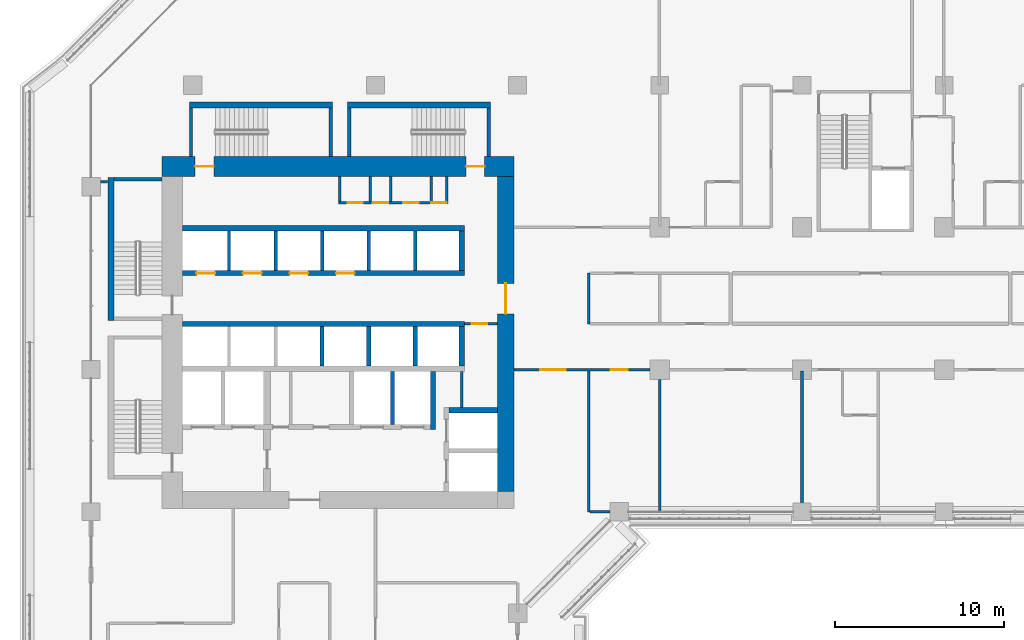
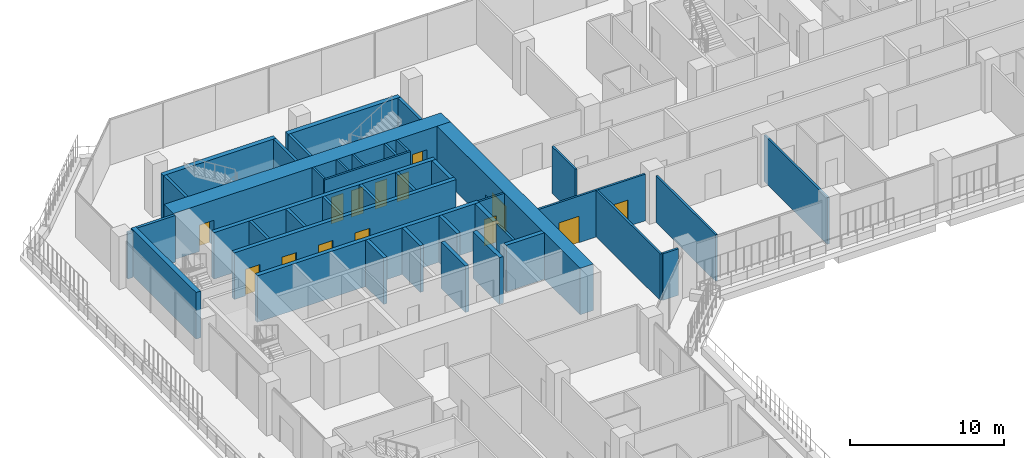
# One storey, part 13 of 23: 41 walls, 14 doors, 14 openings.
"""IFC4 building model written with IfcOpenShell, lengths in metres."""

from ifc_helpers import new_model, si_unit, direction, frame, frame_2d, origin, place, context, subcontext, project, spatial, rectangle, extrude, material, layer, layer_set, type_object, element, fill, save


model = new_model("IFC4")

# Units and contexts
model_context = context("Model", 3, precision=1e-05, world=origin(), true_north=direction((0.0, 1.0)))
body_context = subcontext(model_context, "Body", "Model", "MODEL_VIEW")
ifc_project = project(units=[si_unit("LENGTHUNIT", "METRE"), si_unit("AREAUNIT", "SQUARE_METRE"), si_unit("VOLUMEUNIT", "CUBIC_METRE"), si_unit("PLANEANGLEUNIT", "RADIAN"), si_unit("MASSUNIT", "GRAM", prefix="KILO")], contexts=[model_context])

# Site, building, storey
site_placement = place(None, origin())
site = spatial("IfcSite", under=ifc_project, at=site_placement, CompositionType="ELEMENT")
building_placement = place(site_placement, origin())
building = spatial("IfcBuilding", under=site, at=building_placement, Name="Kawkab Arch Medical Tower", CompositionType="ELEMENT")
storey_placement = place(building_placement, frame((0.0, 0.0, 149.199951171875)))
storey = spatial("IfcBuildingStorey", under=building, at=storey_placement, Name="L34", CompositionType="ELEMENT", Elevation=149.199951171875)

# Wall, opening, door
ifc_material_1 = material(Name="Concrete C60/75", Category="concrete")
ifc_layer_1 = layer(ifc_material_1, 1.0)
ifc_layer_set_1 = layer_set([ifc_layer_1], Name="Concrete C60/75")
wall_type_1 = type_object("IfcWallType", Name="Core ring wall 1000 C60/75", PredefinedType="SHEAR", material=ifc_layer_set_1)
wall_1_placement = place(storey_placement, frame((24.5, -24.0, 0.0), z_axis=(0.0, 0.0, 1.0), x_axis=(0.0, 1.0, 0.0)))
wall_1 = element("IfcWall", 1, at=wall_1_placement, inside=storey, type_object=wall_type_1, Name="L34 core wall", PredefinedType="SHEAR", context=body_context, shape_type="SweptSolid", body=[
    extrude(rectangle(XDim=18.60009765625, YDim=1.0, at=frame_2d((9.300048828125, 0.0))), origin(), (0.0, 0.0, 1.0), 3.699951171875),
])
opening_1_placement = place(wall_1_placement, frame((10.5, 0.0, 0.0)))
opening_1 = element("IfcOpeningElement", 2, at=opening_1_placement, cuts=wall_1, Name="Opening PD", PredefinedType="OPENING", context=body_context, shape_type="SweptSolid", body=[
    extrude(rectangle(XDim=1.800048828125, YDim=2.10009765625, at=frame_2d((0.89990234375, 1.050048828125))), frame((0.0, 0.510009765625, 0.0), z_axis=(0.0, -1.0, 0.0), x_axis=(1.0, 0.0, 0.0)), (0.0, 0.0, 1.0), 1.02001953125),
])
ifc_material_2 = material(Name="Hollow metal fire door leaf")
door_type_1 = type_object("IfcDoorType", Name="Core entrance doors 1800", OperationType="DOUBLE_DOOR_SINGLE_SWING", PredefinedType="DOOR", material=ifc_material_2)
door_1_placement = place(opening_1_placement, origin())
door_1 = element("IfcDoor", 3, at=door_1_placement, inside=storey, type_object=door_type_1, Name="L34 East entrance doors", OperationType="DOUBLE_DOOR_SINGLE_SWING", OverallHeight=2.10009765625, OverallWidth=1.800048828125, PredefinedType="DOOR", context=body_context, shape_type="SweptSolid", body=[
    extrude(rectangle(XDim=1.800048828125, YDim=2.10009765625, at=frame_2d((0.89990234375, 1.050048828125))), frame((0.0, 0.02490234375, 0.0), z_axis=(0.0, -1.0, 0.0), x_axis=(1.0, 0.0, 0.0)), (0.0, 0.0, 1.0), 0.050048828125),
])
fill(opening_1, door_1)

# Wall, openings, doors
ifc_material_3 = material(Name="Concrete C60/75", Category="concrete")
ifc_layer_2 = layer(ifc_material_3, 1.199951171875)
ifc_layer_set_2 = layer_set([ifc_layer_2], Name="Concrete C60/75")
wall_type_2 = type_object("IfcWallType", Name="Core ring wall 1200 C60/75", PredefinedType="SHEAR", material=ifc_layer_set_2)
wall_2_placement = place(storey_placement, frame((4.199951171875, -4.800048828125, 0.0), z_axis=(0.0, 0.0, 1.0), x_axis=(1.0, 0.0, 0.0)))
wall_2 = element("IfcWall", 4, at=wall_2_placement, inside=storey, type_object=wall_type_2, Name="L34 core wall", PredefinedType="SHEAR", context=body_context, shape_type="SweptSolid", body=[
    extrude(rectangle(XDim=20.800048828125, YDim=1.199951171875, at=frame_2d((10.39990234375, 0.0))), origin(), (0.0, 0.0, 1.0), 3.699951171875),
])
opening_2_placement = place(wall_2_placement, frame((1.949951171875, 0.0, 0.0)))
opening_2 = element("IfcOpeningElement", 5, at=opening_2_placement, cuts=wall_2, Name="Opening SD", PredefinedType="OPENING", context=body_context, shape_type="SweptSolid", body=[
    extrude(rectangle(XDim=1.10009765625, YDim=2.10009765625, at=frame_2d((0.550048828125, 1.050048828125))), frame((0.0, 0.60986328125, 0.0), z_axis=(0.0, -1.0, 0.0), x_axis=(1.0, 0.0, 0.0)), (0.0, 0.0, 1.0), 1.219970703125),
])
opening_3_placement = place(wall_2_placement, frame((17.949951171875, 0.0, 0.0)))
opening_3 = element("IfcOpeningElement", 6, at=opening_3_placement, cuts=wall_2, Name="Opening SD", PredefinedType="OPENING", context=body_context, shape_type="SweptSolid", body=[
    extrude(rectangle(XDim=1.10009765625, YDim=2.10009765625, at=frame_2d((0.550048828125, 1.050048828125))), frame((0.0, 0.60986328125, 0.0), z_axis=(0.0, -1.0, 0.0), x_axis=(1.0, 0.0, 0.0)), (0.0, 0.0, 1.0), 1.219970703125),
])
ifc_material_4 = material(Name="Hollow metal fire door leaf")
door_type_2 = type_object("IfcDoorType", Name="Exit stair door 1100", OperationType="SINGLE_SWING_LEFT", PredefinedType="DOOR", material=ifc_material_4)
door_2_placement = place(opening_2_placement, origin())
door_2 = element("IfcDoor", 7, at=door_2_placement, inside=storey, type_object=door_type_2, Name="L34 Exit stair ST3 door", OperationType="SINGLE_SWING_LEFT", OverallHeight=2.10009765625, OverallWidth=1.10009765625, PredefinedType="DOOR", context=body_context, shape_type="SweptSolid", body=[
    extrude(rectangle(XDim=1.10009765625, YDim=2.10009765625, at=frame_2d((0.550048828125, 1.050048828125))), frame((0.0, 0.02490234375, 0.0), z_axis=(0.0, -1.0, 0.0), x_axis=(1.0, 0.0, 0.0)), (0.0, 0.0, 1.0), 0.050048828125),
])
fill(opening_2, door_2)
door_3_placement = place(opening_3_placement, origin())
door_3 = element("IfcDoor", 8, at=door_3_placement, inside=storey, type_object=door_type_2, Name="L34 Exit stair ST4 door", OperationType="SINGLE_SWING_LEFT", OverallHeight=2.10009765625, OverallWidth=1.10009765625, PredefinedType="DOOR", context=body_context, shape_type="SweptSolid", body=[
    extrude(rectangle(XDim=1.10009765625, YDim=2.10009765625, at=frame_2d((0.550048828125, 1.050048828125))), frame((0.0, 0.02490234375, 0.0), z_axis=(0.0, -1.0, 0.0), x_axis=(1.0, 0.0, 0.0)), (0.0, 0.0, 1.0), 0.050048828125),
])
fill(opening_3, door_3)

# Wall
ifc_material_5 = material(Name="Gypsum board on steel studs", Category="steel")
ifc_layer_3 = layer(ifc_material_5, 0.14990234375)
ifc_layer_set_3 = layer_set([ifc_layer_3], Name="Gypsum board on steel studs")
wall_type_3 = type_object("IfcWallType", Name="Core room partition 150", PredefinedType="PARTITIONING", material=ifc_layer_set_3)
wall_3_placement = place(storey_placement, frame((21.89990234375, -19.050048828125, 0.0), z_axis=(0.0, 0.0, 1.0), x_axis=(0.0, 1.0, 0.0)))
element("IfcWall", 9, at=wall_3_placement, inside=storey, type_object=wall_type_3, Name="L34 core room partition", PredefinedType="PARTITIONING", context=body_context, shape_type="SweptSolid", body=[
    extrude(rectangle(XDim=2.150146484375, YDim=0.14990234375, at=frame_2d((1.0751953125, 0.0))), origin(), (0.0, 0.0, 1.0), 3.699951171875),
])

# Wall, opening, door
wall_4_placement = place(storey_placement, frame((22.050048828125, -14.10009765625, 0.0), z_axis=(0.0, 0.0, 1.0), x_axis=(1.0, 0.0, 0.0)))
wall_4 = element("IfcWall", 10, at=wall_4_placement, inside=storey, type_object=wall_type_3, Name="L34 core room partition", PredefinedType="PARTITIONING", context=body_context, shape_type="SweptSolid", body=[
    extrude(rectangle(XDim=1.949951171875, YDim=0.14990234375, at=frame_2d((0.97509765625, 0.0))), origin(), (0.0, 0.0, 1.0), 3.699951171875),
])
opening_4_placement = place(wall_4_placement, frame((0.449951171875, 0.0, 0.0)))
opening_4 = element("IfcOpeningElement", 11, at=opening_4_placement, cuts=wall_4, Name="Opening RD", PredefinedType="OPENING", context=body_context, shape_type="SweptSolid", body=[
    extrude(rectangle(XDim=0.89990234375, YDim=2.10009765625, at=frame_2d((0.449951171875, 1.050048828125))), frame((0.0, 0.0849609375, 0.0), z_axis=(0.0, -1.0, 0.0), x_axis=(1.0, 0.0, 0.0)), (0.0, 0.0, 1.0), 0.169921875),
])
ifc_material_6 = material(Name="Hollow metal fire door leaf")
door_type_3 = type_object("IfcDoorType", Name="Core room door 900", OperationType="SINGLE_SWING_LEFT", PredefinedType="DOOR", material=ifc_material_6)
door_4_placement = place(opening_4_placement, origin())
door_4 = element("IfcDoor", 12, at=door_4_placement, inside=storey, type_object=door_type_3, Name="L34 Data room door", OperationType="SINGLE_SWING_LEFT", OverallHeight=2.10009765625, OverallWidth=0.89990234375, PredefinedType="DOOR", context=body_context, shape_type="SweptSolid", body=[
    extrude(rectangle(XDim=0.89990234375, YDim=2.10009765625, at=frame_2d((0.449951171875, 1.050048828125))), frame((0.0, 0.02490234375, 0.0), z_axis=(0.0, -1.0, 0.0), x_axis=(1.0, 0.0, 0.0)), (0.0, 0.0, 1.0), 0.050048828125),
])
fill(opening_4, door_4)

# Wall, openings, doors
wall_5_placement = place(storey_placement, frame((14.625, -6.949951171875, 0.0), z_axis=(0.0, 0.0, 1.0), x_axis=(1.0, 0.0, 0.0)))
wall_5 = element("IfcWall", 13, at=wall_5_placement, inside=storey, type_object=wall_type_3, Name="L34 core room partition", PredefinedType="PARTITIONING", context=body_context, shape_type="SweptSolid", body=[
    extrude(rectangle(XDim=6.449951171875, YDim=0.14990234375, at=frame_2d((3.22509765625, 0.0))), origin(), (0.0, 0.0, 1.0), 3.699951171875),
])
opening_5_placement = place(wall_5_placement, frame((0.52490234375, 0.0, 0.0)))
opening_5 = element("IfcOpeningElement", 14, at=opening_5_placement, cuts=wall_5, Name="Opening RD", PredefinedType="OPENING", context=body_context, shape_type="SweptSolid", body=[
    extrude(rectangle(XDim=0.89990234375, YDim=2.10009765625, at=frame_2d((0.449951171875, 1.050048828125))), frame((0.0, 0.0849609375, 0.0), z_axis=(0.0, -1.0, 0.0), x_axis=(1.0, 0.0, 0.0)), (0.0, 0.0, 1.0), 0.169921875),
])
opening_6_placement = place(wall_5_placement, frame((2.02490234375, 0.0, 0.0)))
opening_6 = element("IfcOpeningElement", 15, at=opening_6_placement, cuts=wall_5, Name="Opening RD", PredefinedType="OPENING", context=body_context, shape_type="SweptSolid", body=[
    extrude(rectangle(XDim=0.89990234375, YDim=2.10009765625, at=frame_2d((0.449951171875, 1.050048828125))), frame((0.0, 0.0849609375, 0.0), z_axis=(0.0, -1.0, 0.0), x_axis=(1.0, 0.0, 0.0)), (0.0, 0.0, 1.0), 0.169921875),
])
opening_7_placement = place(wall_5_placement, frame((3.824951171875, 0.0, 0.0)))
opening_7 = element("IfcOpeningElement", 16, at=opening_7_placement, cuts=wall_5, Name="Opening RD", PredefinedType="OPENING", context=body_context, shape_type="SweptSolid", body=[
    extrude(rectangle(XDim=0.89990234375, YDim=2.10009765625, at=frame_2d((0.449951171875, 1.050048828125))), frame((0.0, 0.0849609375, 0.0), z_axis=(0.0, -1.0, 0.0), x_axis=(1.0, 0.0, 0.0)), (0.0, 0.0, 1.0), 0.169921875),
])
opening_8_placement = place(wall_5_placement, frame((5.47509765625, 0.0, 0.0)))
opening_8 = element("IfcOpeningElement", 17, at=opening_8_placement, cuts=wall_5, Name="Opening RD", PredefinedType="OPENING", context=body_context, shape_type="SweptSolid", body=[
    extrude(rectangle(XDim=0.89990234375, YDim=2.10009765625, at=frame_2d((0.449951171875, 1.050048828125))), frame((0.0, 0.0849609375, 0.0), z_axis=(0.0, -1.0, 0.0), x_axis=(1.0, 0.0, 0.0)), (0.0, 0.0, 1.0), 0.169921875),
])
door_5_placement = place(opening_5_placement, origin())
door_5 = element("IfcDoor", 18, at=door_5_placement, inside=storey, type_object=door_type_3, Name="L34 Comms room door", OperationType="SINGLE_SWING_LEFT", OverallHeight=2.10009765625, OverallWidth=0.89990234375, PredefinedType="DOOR", context=body_context, shape_type="SweptSolid", body=[
    extrude(rectangle(XDim=0.89990234375, YDim=2.10009765625, at=frame_2d((0.449951171875, 1.050048828125))), frame((0.0, 0.02490234375, 0.0), z_axis=(0.0, -1.0, 0.0), x_axis=(1.0, 0.0, 0.0)), (0.0, 0.0, 1.0), 0.050048828125),
])
fill(opening_5, door_5)
door_6_placement = place(opening_6_placement, origin())
door_6 = element("IfcDoor", 19, at=door_6_placement, inside=storey, type_object=door_type_3, Name="L34 Electrical riser room door", OperationType="SINGLE_SWING_LEFT", OverallHeight=2.10009765625, OverallWidth=0.89990234375, PredefinedType="DOOR", context=body_context, shape_type="SweptSolid", body=[
    extrude(rectangle(XDim=0.89990234375, YDim=2.10009765625, at=frame_2d((0.449951171875, 1.050048828125))), frame((0.0, 0.02490234375, 0.0), z_axis=(0.0, -1.0, 0.0), x_axis=(1.0, 0.0, 0.0)), (0.0, 0.0, 1.0), 0.050048828125),
])
fill(opening_6, door_6)
door_7_placement = place(opening_7_placement, origin())
door_7 = element("IfcDoor", 20, at=door_7_placement, inside=storey, type_object=door_type_3, Name="L34 General store door", OperationType="SINGLE_SWING_LEFT", OverallHeight=2.10009765625, OverallWidth=0.89990234375, PredefinedType="DOOR", context=body_context, shape_type="SweptSolid", body=[
    extrude(rectangle(XDim=0.89990234375, YDim=2.10009765625, at=frame_2d((0.449951171875, 1.050048828125))), frame((0.0, 0.02490234375, 0.0), z_axis=(0.0, -1.0, 0.0), x_axis=(1.0, 0.0, 0.0)), (0.0, 0.0, 1.0), 0.050048828125),
])
fill(opening_7, door_7)
door_8_placement = place(opening_8_placement, origin())
door_8 = element("IfcDoor", 21, at=door_8_placement, inside=storey, type_object=door_type_3, Name="L34 UPS room door", OperationType="SINGLE_SWING_LEFT", OverallHeight=2.10009765625, OverallWidth=0.89990234375, PredefinedType="DOOR", context=body_context, shape_type="SweptSolid", body=[
    extrude(rectangle(XDim=0.89990234375, YDim=2.10009765625, at=frame_2d((0.449951171875, 1.050048828125))), frame((0.0, 0.02490234375, 0.0), z_axis=(0.0, -1.0, 0.0), x_axis=(1.0, 0.0, 0.0)), (0.0, 0.0, 1.0), 0.050048828125),
])
fill(opening_8, door_8)

# Walls
for number, where, z_axis, x_axis, name in (
    (22, (14.699951171875, -6.875, 0.0), (0.0, 0.0, 1.0), (0.0, 1.0, 0.0), "L34 core room partition"),
    (23, (16.5, -6.875, 0.0), (0.0, 0.0, 1.0), (0.0, 1.0, 0.0), "L34 core room partition"),
    (24, (17.699951171875, -6.875, 0.0), (0.0, 0.0, 1.0), (0.0, 1.0, 0.0), "L34 core room partition"),
    (25, (20.10009765625, -6.875, 0.0), (0.0, 0.0, 1.0), (0.0, 1.0, 0.0), "L34 core room partition"),
    (26, (21.0, -6.875, 0.0), (0.0, 0.0, 1.0), (0.0, 1.0, 0.0), "L34 core room partition"),
):
    element("IfcWall", number, at=place(storey_placement, frame(where, z_axis=z_axis, x_axis=x_axis)), inside=storey, type_object=wall_type_3, Name=name, PredefinedType="PARTITIONING", context=body_context, shape_type="SweptSolid", body=[
        extrude(rectangle(XDim=1.47509765625, YDim=0.14990234375, at=frame_2d((0.737548828125, 0.0))), origin(), (0.0, 0.0, 1.0), 3.699951171875),
    ])
ifc_material_7 = material(Name="Concrete C60/75", Category="concrete")
ifc_layer_4 = layer(ifc_material_7, 0.25)
ifc_layer_set_4 = layer_set([ifc_layer_4], Name="Concrete C60/75")
wall_type_4 = type_object("IfcWallType", Name="Core shear wall 250 C60/75", PredefinedType="SHEAR", material=ifc_layer_set_4)
wall_6_placement = place(storey_placement, frame((17.800048828125, -20.050048828125, 0.0), z_axis=(0.0, 0.0, 1.0), x_axis=(0.0, 1.0, 0.0)))
element("IfcWall", 27, at=wall_6_placement, inside=storey, type_object=wall_type_4, Name="L34 core shear wall", PredefinedType="SHEAR", context=body_context, shape_type="SweptSolid", body=[
    extrude(rectangle(XDim=3.150146484375, YDim=0.25, at=frame_2d((1.5751953125, 0.0))), origin(), (0.0, 0.0, 1.0), 3.699951171875),
])
for number, where, z_axis, x_axis, name in (
    (28, (13.64990234375, -16.60009765625, 0.0), (0.0, 0.0, 1.0), (0.0, 1.0, 0.0), "L34 core shear wall"),
    (29, (16.39990234375, -16.60009765625, 0.0), (0.0, 0.0, 1.0), (0.0, 1.0, 0.0), "L34 core shear wall"),
    (30, (19.14990234375, -16.60009765625, 0.0), (0.0, 0.0, 1.0), (0.0, 1.0, 0.0), "L34 core shear wall"),
):
    element("IfcWall", number, at=place(storey_placement, frame(where, z_axis=z_axis, x_axis=x_axis)), inside=storey, type_object=wall_type_4, Name=name, PredefinedType="SHEAR", context=body_context, shape_type="SweptSolid", body=[
        extrude(rectangle(XDim=2.35009765625, YDim=0.25, at=frame_2d((1.175048828125, 0.0))), origin(), (0.0, 0.0, 1.0), 3.699951171875),
    ])
ifc_material_8 = material(Name="Concrete C60/75", Category="concrete")
ifc_layer_5 = layer(ifc_material_8, 0.300048828125)
ifc_layer_set_5 = layer_set([ifc_layer_5], Name="Concrete C60/75")
wall_type_5 = type_object("IfcWallType", Name="Core shear wall 300 C60/75", PredefinedType="SHEAR", material=ifc_layer_set_5)
wall_7_placement = place(storey_placement, frame((5.39990234375, -8.449951171875, 0.0), z_axis=(0.0, 0.0, 1.0), x_axis=(1.0, 0.0, 0.0)))
element("IfcWall", 31, at=wall_7_placement, inside=storey, type_object=wall_type_5, Name="L34 core shear wall", PredefinedType="SHEAR", context=body_context, shape_type="SweptSolid", body=[
    extrude(rectangle(XDim=16.650146484375, YDim=0.300048828125, at=frame_2d((8.3251953125, 0.0))), origin(), (0.0, 0.0, 1.0), 3.699951171875),
])

# Wall, openings, doors
wall_8_placement = place(storey_placement, frame((5.39990234375, -11.10009765625, 0.0), z_axis=(0.0, 0.0, 1.0), x_axis=(1.0, 0.0, 0.0)))
wall_8 = element("IfcWall", 32, at=wall_8_placement, inside=storey, type_object=wall_type_5, Name="L34 core shear wall", PredefinedType="SHEAR", context=body_context, shape_type="SweptSolid", body=[
    extrude(rectangle(XDim=16.650146484375, YDim=0.300048828125, at=frame_2d((8.3251953125, 0.0))), origin(), (0.0, 0.0, 1.0), 3.699951171875),
])
opening_9_placement = place(wall_8_placement, frame((0.824951171875, 0.0, 0.0)))
opening_9 = element("IfcOpeningElement", 33, at=opening_9_placement, cuts=wall_8, Name="Opening LD1", PredefinedType="OPENING", context=body_context, shape_type="SweptSolid", body=[
    extrude(rectangle(XDim=1.10009765625, YDim=2.10009765625, at=frame_2d((0.550048828125, 1.050048828125))), frame((0.0, 0.159912109375, 0.0), z_axis=(0.0, -1.0, 0.0), x_axis=(1.0, 0.0, 0.0)), (0.0, 0.0, 1.0), 0.320068359375),
])
opening_10_placement = place(wall_8_placement, frame((3.574951171875, 0.0, 0.0)))
opening_10 = element("IfcOpeningElement", 34, at=opening_10_placement, cuts=wall_8, Name="Opening LD1", PredefinedType="OPENING", context=body_context, shape_type="SweptSolid", body=[
    extrude(rectangle(XDim=1.10009765625, YDim=2.10009765625, at=frame_2d((0.550048828125, 1.050048828125))), frame((0.0, 0.159912109375, 0.0), z_axis=(0.0, -1.0, 0.0), x_axis=(1.0, 0.0, 0.0)), (0.0, 0.0, 1.0), 0.320068359375),
])
opening_11_placement = place(wall_8_placement, frame((6.324951171875, 0.0, 0.0)))
opening_11 = element("IfcOpeningElement", 35, at=opening_11_placement, cuts=wall_8, Name="Opening LD1", PredefinedType="OPENING", context=body_context, shape_type="SweptSolid", body=[
    extrude(rectangle(XDim=1.10009765625, YDim=2.10009765625, at=frame_2d((0.550048828125, 1.050048828125))), frame((0.0, 0.159912109375, 0.0), z_axis=(0.0, -1.0, 0.0), x_axis=(1.0, 0.0, 0.0)), (0.0, 0.0, 1.0), 0.320068359375),
])
opening_12_placement = place(wall_8_placement, frame((9.074951171875, 0.0, 0.0)))
opening_12 = element("IfcOpeningElement", 36, at=opening_12_placement, cuts=wall_8, Name="Opening LD1", PredefinedType="OPENING", context=body_context, shape_type="SweptSolid", body=[
    extrude(rectangle(XDim=1.10009765625, YDim=2.10009765625, at=frame_2d((0.550048828125, 1.050048828125))), frame((0.0, 0.159912109375, 0.0), z_axis=(0.0, -1.0, 0.0), x_axis=(1.0, 0.0, 0.0)), (0.0, 0.0, 1.0), 0.320068359375),
])
ifc_material_9 = material(Name="Stainless steel lift door leaf", Category="steel")
door_type_4 = type_object("IfcDoorType", Name="Lift landing door 1100", OperationType="DOUBLE_DOOR_SLIDING", PredefinedType="DOOR", material=ifc_material_9)
door_9_placement = place(opening_9_placement, origin())
door_9 = element("IfcDoor", 37, at=door_9_placement, inside=storey, type_object=door_type_4, Name="L34 Lift landing door LP1", OperationType="DOUBLE_DOOR_SLIDING", OverallHeight=2.10009765625, OverallWidth=1.10009765625, PredefinedType="DOOR", context=body_context, shape_type="SweptSolid", body=[
    extrude(rectangle(XDim=1.10009765625, YDim=2.10009765625, at=frame_2d((0.550048828125, 1.050048828125))), frame((0.0, 0.02490234375, 0.0), z_axis=(0.0, -1.0, 0.0), x_axis=(1.0, 0.0, 0.0)), (0.0, 0.0, 1.0), 0.050048828125),
])
fill(opening_9, door_9)
door_10_placement = place(opening_10_placement, origin())
door_10 = element("IfcDoor", 38, at=door_10_placement, inside=storey, type_object=door_type_4, Name="L34 Lift landing door LP2", OperationType="DOUBLE_DOOR_SLIDING", OverallHeight=2.10009765625, OverallWidth=1.10009765625, PredefinedType="DOOR", context=body_context, shape_type="SweptSolid", body=[
    extrude(rectangle(XDim=1.10009765625, YDim=2.10009765625, at=frame_2d((0.550048828125, 1.050048828125))), frame((0.0, 0.02490234375, 0.0), z_axis=(0.0, -1.0, 0.0), x_axis=(1.0, 0.0, 0.0)), (0.0, 0.0, 1.0), 0.050048828125),
])
fill(opening_10, door_10)
door_11_placement = place(opening_11_placement, origin())
door_11 = element("IfcDoor", 39, at=door_11_placement, inside=storey, type_object=door_type_4, Name="L34 Lift landing door LP3", OperationType="DOUBLE_DOOR_SLIDING", OverallHeight=2.10009765625, OverallWidth=1.10009765625, PredefinedType="DOOR", context=body_context, shape_type="SweptSolid", body=[
    extrude(rectangle(XDim=1.10009765625, YDim=2.10009765625, at=frame_2d((0.550048828125, 1.050048828125))), frame((0.0, 0.02490234375, 0.0), z_axis=(0.0, -1.0, 0.0), x_axis=(1.0, 0.0, 0.0)), (0.0, 0.0, 1.0), 0.050048828125),
])
fill(opening_11, door_11)
door_12_placement = place(opening_12_placement, origin())
door_12 = element("IfcDoor", 40, at=door_12_placement, inside=storey, type_object=door_type_4, Name="L34 Lift landing door LP4", OperationType="DOUBLE_DOOR_SLIDING", OverallHeight=2.10009765625, OverallWidth=1.10009765625, PredefinedType="DOOR", context=body_context, shape_type="SweptSolid", body=[
    extrude(rectangle(XDim=1.10009765625, YDim=2.10009765625, at=frame_2d((0.550048828125, 1.050048828125))), frame((0.0, 0.02490234375, 0.0), z_axis=(0.0, -1.0, 0.0), x_axis=(1.0, 0.0, 0.0)), (0.0, 0.0, 1.0), 0.050048828125),
])
fill(opening_12, door_12)

# Walls
wall_9_placement = place(storey_placement, frame((5.39990234375, -14.10009765625, 0.0), z_axis=(0.0, 0.0, 1.0), x_axis=(1.0, 0.0, 0.0)))
element("IfcWall", 41, at=wall_9_placement, inside=storey, type_object=wall_type_5, Name="L34 core shear wall", PredefinedType="SHEAR", context=body_context, shape_type="SweptSolid", body=[
    extrude(rectangle(XDim=16.650146484375, YDim=0.300048828125, at=frame_2d((8.3251953125, 0.0))), origin(), (0.0, 0.0, 1.0), 3.699951171875),
])
wall_10_placement = place(storey_placement, frame((20.199951171875, -20.35009765625, 0.0), z_axis=(0.0, 0.0, 1.0), x_axis=(0.0, 1.0, 0.0)))
element("IfcWall", 42, at=wall_10_placement, inside=storey, type_object=wall_type_5, Name="L34 core shear wall", PredefinedType="SHEAR", context=body_context, shape_type="SweptSolid", body=[
    extrude(rectangle(XDim=3.4501953125, YDim=0.300048828125, at=frame_2d((1.72509765625, 0.0))), origin(), (0.0, 0.0, 1.0), 3.699951171875),
])
wall_11_placement = place(storey_placement, frame((21.89990234375, -10.949951171875, 0.0), z_axis=(0.0, 0.0, 1.0), x_axis=(0.0, 1.0, 0.0)))
element("IfcWall", 43, at=wall_11_placement, inside=storey, type_object=wall_type_5, Name="L34 core shear wall", PredefinedType="SHEAR", context=body_context, shape_type="SweptSolid", body=[
    extrude(rectangle(XDim=2.349853515625, YDim=0.300048828125, at=frame_2d((1.1748046875, 0.0))), origin(), (0.0, 0.0, 1.0), 3.699951171875),
])
wall_12_placement = place(storey_placement, frame((21.89990234375, -16.60009765625, 0.0), z_axis=(0.0, 0.0, 1.0), x_axis=(0.0, 1.0, 0.0)))
element("IfcWall", 44, at=wall_12_placement, inside=storey, type_object=wall_type_5, Name="L34 core shear wall", PredefinedType="SHEAR", context=body_context, shape_type="SweptSolid", body=[
    extrude(rectangle(XDim=2.35009765625, YDim=0.300048828125, at=frame_2d((1.175048828125, 0.0))), origin(), (0.0, 0.0, 1.0), 3.699951171875),
])
wall_13_placement = place(storey_placement, frame((21.14990234375, -19.199951171875, 0.0), z_axis=(0.0, 0.0, 1.0), x_axis=(1.0, 0.0, 0.0)))
element("IfcWall", 45, at=wall_13_placement, inside=storey, type_object=wall_type_5, Name="L34 core shear wall", PredefinedType="SHEAR", context=body_context, shape_type="SweptSolid", body=[
    extrude(rectangle(XDim=2.85009765625, YDim=0.300048828125, at=frame_2d((1.425048828125, 0.0))), origin(), (0.0, 0.0, 1.0), 3.699951171875),
])
ifc_material_10 = material(Name="Dense concrete blockwork", Category="masonry")
ifc_layer_6 = layer(ifc_material_10, 0.199951171875)
ifc_layer_set_6 = layer_set([ifc_layer_6], Name="Dense concrete blockwork")
wall_type_6 = type_object("IfcWallType", Name="Lift shaft partition 200", PredefinedType="PARTITIONING", material=ifc_layer_set_6)
for number, where, z_axis, x_axis, name in (
    (46, (8.14990234375, -10.949951171875, 0.0), (0.0, 0.0, 1.0), (0.0, 1.0, 0.0), "L34 lift shaft partition"),
    (47, (10.89990234375, -10.949951171875, 0.0), (0.0, 0.0, 1.0), (0.0, 1.0, 0.0), "L34 lift shaft partition"),
    (48, (13.64990234375, -10.949951171875, 0.0), (0.0, 0.0, 1.0), (0.0, 1.0, 0.0), "L34 lift shaft partition"),
    (49, (16.39990234375, -10.949951171875, 0.0), (0.0, 0.0, 1.0), (0.0, 1.0, 0.0), "L34 lift shaft partition"),
    (50, (19.14990234375, -10.949951171875, 0.0), (0.0, 0.0, 1.0), (0.0, 1.0, 0.0), "L34 lift shaft partition"),
):
    element("IfcWall", number, at=place(storey_placement, frame(where, z_axis=z_axis, x_axis=x_axis)), inside=storey, type_object=wall_type_6, Name=name, PredefinedType="PARTITIONING", context=body_context, shape_type="SweptSolid", body=[
        extrude(rectangle(XDim=2.349853515625, YDim=0.199951171875, at=frame_2d((1.1748046875, 0.0))), origin(), (0.0, 0.0, 1.0), 3.699951171875),
    ])
ifc_material_11 = material(Name="Gypsum board partition on steel studs, mineral wool", Category="steel")
ifc_layer_7 = layer(ifc_material_11, 0.14990234375)
ifc_layer_set_7 = layer_set([ifc_layer_7], Name="Gypsum board partition on steel studs, mineral wool")
wall_type_7 = type_object("IfcWallType", Name="Partition 150", PredefinedType="PARTITIONING", material=ifc_layer_set_7)
wall_14_placement = place(storey_placement, frame((29.47509765625, -25.199951171875, 0.0), z_axis=(0.0, 0.0, 1.0), x_axis=(1.0, 0.0, 0.0)))
element("IfcWall", 51, at=wall_14_placement, inside=storey, type_object=wall_type_7, Name="Partition 150 w035", PredefinedType="PARTITIONING", context=body_context, shape_type="SweptSolid", body=[
    extrude(rectangle(XDim=1.1748046875, YDim=0.14990234375, at=frame_2d((0.58740234375, 0.0))), origin(), (0.0, 0.0, 1.0), 3.699951171875),
])

# Wall, openings, doors
wall_15_placement = place(storey_placement, frame((25.0, -16.800048828125, 0.0), z_axis=(0.0, 0.0, 1.0), x_axis=(1.0, 0.0, 0.0)))
wall_15 = element("IfcWall", 52, at=wall_15_placement, inside=storey, type_object=wall_type_7, Name="Partition 150 w036", PredefinedType="PARTITIONING", context=body_context, shape_type="SweptSolid", body=[
    extrude(rectangle(XDim=8.02490234375, YDim=0.14990234375, at=frame_2d((4.012451171875, 0.0))), origin(), (0.0, 0.0, 1.0), 3.699951171875),
])
opening_13_placement = place(wall_15_placement, frame((1.550048828125, 0.0, 0.0)))
opening_13 = element("IfcOpeningElement", 53, at=opening_13_placement, cuts=wall_15, Name="Opening W29-001", PredefinedType="OPENING", context=body_context, shape_type="SweptSolid", body=[
    extrude(rectangle(XDim=1.5, YDim=2.10009765625, at=frame_2d((0.75, 1.050048828125))), frame((0.0, 0.0849609375, 0.0), z_axis=(0.0, -1.0, 0.0), x_axis=(1.0, 0.0, 0.0)), (0.0, 0.0, 1.0), 0.169921875),
])
opening_14_placement = place(wall_15_placement, frame((5.7119140625, 0.0, 0.0)))
opening_14 = element("IfcOpeningElement", 54, at=opening_14_placement, cuts=wall_15, Name="Opening W29-025", PredefinedType="OPENING", context=body_context, shape_type="SweptSolid", body=[
    extrude(rectangle(XDim=1.0, YDim=2.10009765625, at=frame_2d((0.5, 1.050048828125))), frame((0.0, 0.0849609375, 0.0), z_axis=(0.0, -1.0, 0.0), x_axis=(1.0, 0.0, 0.0)), (0.0, 0.0, 1.0), 0.169921875),
])
ifc_material_12 = material(Name="Hollow metal door leaf")
door_type_5 = type_object("IfcDoorType", Name="Double door 1500x2100 FD30S", OperationType="NOTDEFINED", PredefinedType="DOOR", material=ifc_material_12)
door_13_placement = place(opening_13_placement, origin())
door_13 = element("IfcDoor", 55, at=door_13_placement, inside=storey, type_object=door_type_5, Name="Door W29-001", OperationType="DOUBLE_DOOR_SINGLE_SWING", OverallHeight=2.10009765625, OverallWidth=1.5, PredefinedType="DOOR", context=body_context, shape_type="SweptSolid", body=[
    extrude(rectangle(XDim=1.5, YDim=2.10009765625, at=frame_2d((0.75, 1.050048828125))), frame((0.0, 0.02490234375, 0.0), z_axis=(0.0, -1.0, 0.0), x_axis=(1.0, 0.0, 0.0)), (0.0, 0.0, 1.0), 0.050048828125),
])
fill(opening_13, door_13)
ifc_material_13 = material(Name="Timber door leaf", Category="wood")
door_type_6 = type_object("IfcDoorType", Name="Single door 1000x2100", OperationType="NOTDEFINED", PredefinedType="DOOR", material=ifc_material_13)
door_14_placement = place(opening_14_placement, origin())
door_14 = element("IfcDoor", 56, at=door_14_placement, inside=storey, type_object=door_type_6, Name="Door W29-025", OperationType="SINGLE_SWING_LEFT", OverallHeight=2.10009765625, OverallWidth=1.0, PredefinedType="DOOR", context=body_context, shape_type="SweptSolid", body=[
    extrude(rectangle(XDim=1.0, YDim=2.10009765625, at=frame_2d((0.5, 1.050048828125))), frame((0.0, 0.02490234375, 0.0), z_axis=(0.0, -1.0, 0.0), x_axis=(1.0, 0.0, 0.0)), (0.0, 0.0, 1.0), 0.050048828125),
])
fill(opening_14, door_14)

# Walls
wall_16_placement = place(storey_placement, frame((0.550048828125, -5.699951171875, 0.0), z_axis=(0.0, 0.0, 1.0), x_axis=(1.0, 0.0, 0.0)))
element("IfcWall", 57, at=wall_16_placement, inside=storey, type_object=wall_type_7, Name="Partition 150 w044", PredefinedType="PARTITIONING", context=body_context, shape_type="SweptSolid", body=[
    extrude(rectangle(XDim=0.419921875, YDim=0.14990234375, at=frame_2d((0.2099609375, 0.0))), origin(), (0.0, 0.0, 1.0), 3.699951171875),
])
wall_17_placement = place(storey_placement, frame((29.39990234375, -25.199951171875, 0.0), z_axis=(0.0, 0.0, 1.0), x_axis=(0.0, 1.0, 0.0)))
element("IfcWall", 58, at=wall_17_placement, inside=storey, type_object=wall_type_7, Name="Partition 150 w059", PredefinedType="PARTITIONING", context=body_context, shape_type="SweptSolid", body=[
    extrude(rectangle(XDim=8.324951171875, YDim=0.14990234375, at=frame_2d((4.16259765625, 0.0))), origin(), (0.0, 0.0, 1.0), 3.699951171875),
])
wall_18_placement = place(storey_placement, frame((29.39990234375, -14.10009765625, 0.0), z_axis=(0.0, 0.0, 1.0), x_axis=(0.0, 1.0, 0.0)))
element("IfcWall", 59, at=wall_18_placement, inside=storey, type_object=wall_type_7, Name="Partition 150 w060", PredefinedType="PARTITIONING", context=body_context, shape_type="SweptSolid", body=[
    extrude(rectangle(XDim=3.0, YDim=0.14990234375, at=frame_2d((1.5, 0.0))), origin(), (0.0, 0.0, 1.0), 3.699951171875),
])
wall_19_placement = place(storey_placement, frame((33.60009765625, -25.1201171875, 0.0), z_axis=(0.0, 0.0, 1.0), x_axis=(0.0, 1.0, 0.0)))
element("IfcWall", 60, at=wall_19_placement, inside=storey, type_object=wall_type_7, Name="Partition 150 w062", PredefinedType="PARTITIONING", context=body_context, shape_type="SweptSolid", body=[
    extrude(rectangle(XDim=7.7451171875, YDim=0.14990234375, at=frame_2d((3.87255859375, 0.0))), origin(), (0.0, 0.0, 1.0), 3.699951171875),
])
wall_20_placement = place(storey_placement, frame((42.0, -25.1201171875, 0.0), z_axis=(0.0, 0.0, 1.0), x_axis=(0.0, 1.0, 0.0)))
element("IfcWall", 61, at=wall_20_placement, inside=storey, type_object=wall_type_7, Name="Partition 150 w068", PredefinedType="PARTITIONING", context=body_context, shape_type="SweptSolid", body=[
    extrude(rectangle(XDim=8.2451171875, YDim=0.14990234375, at=frame_2d((4.12255859375, 0.0))), origin(), (0.0, 0.0, 1.0), 3.699951171875),
])
ifc_material_14 = material(Name="Concrete C50/60", Category="concrete")
ifc_layer_8 = layer(ifc_material_14, 0.199951171875)
ifc_layer_set_8 = layer_set([ifc_layer_8], Name="Concrete C50/60")
wall_type_8 = type_object("IfcWallType", Name="Stair enclosure wall 200 C50/60", PredefinedType="SHEAR", material=ifc_layer_set_8)
for number, where, z_axis, x_axis, name in (
    (62, (1.35009765625, -5.550048828125, 0.0), (0.0, 0.0, 1.0), (1.0, 0.0, 0.0), "L34 stair enclosure wall"),
    (63, (5.89990234375, -4.199951171875, 0.0), (0.0, 0.0, 1.0), (0.0, 1.0, 0.0), "L34 stair enclosure wall"),
    (64, (14.14990234375, -4.199951171875, 0.0), (0.0, 0.0, 1.0), (0.0, 1.0, 0.0), "L34 stair enclosure wall"),
    (65, (15.25, -4.199951171875, 0.0), (0.0, 0.0, 1.0), (0.0, 1.0, 0.0), "L34 stair enclosure wall"),
    (66, (23.5, -4.199951171875, 0.0), (0.0, 0.0, 1.0), (0.0, 1.0, 0.0), "L34 stair enclosure wall"),
):
    element("IfcWall", number, at=place(storey_placement, frame(where, z_axis=z_axis, x_axis=x_axis)), inside=storey, type_object=wall_type_8, Name=name, PredefinedType="SHEAR", context=body_context, shape_type="SweptSolid", body=[
        extrude(rectangle(XDim=2.849853515625, YDim=0.199951171875, at=frame_2d((1.4248046875, 0.0))), origin(), (0.0, 0.0, 1.0), 3.699951171875),
    ])
ifc_material_15 = material(Name="Concrete C50/60", Category="concrete")
ifc_layer_9 = layer(ifc_material_15, 0.35009765625)
ifc_layer_set_9 = layer_set([ifc_layer_9], Name="Concrete C50/60")
wall_type_9 = type_object("IfcWallType", Name="Stair enclosure wall 350 C50/60", PredefinedType="SHEAR", material=ifc_layer_set_9)
for number, where, z_axis, x_axis, name in (
    (67, (1.175048828125, -13.89990234375, 0.0), (0.0, 0.0, 1.0), (0.0, 1.0, 0.0), "L34 stair enclosure wall"),
    (68, (5.800048828125, -1.175048828125, 0.0), (0.0, 0.0, 1.0), (1.0, 0.0, 0.0), "L34 stair enclosure wall"),
):
    element("IfcWall", number, at=place(storey_placement, frame(where, z_axis=z_axis, x_axis=x_axis)), inside=storey, type_object=wall_type_9, Name=name, PredefinedType="SHEAR", context=body_context, shape_type="SweptSolid", body=[
        extrude(rectangle(XDim=8.449951171875, YDim=0.35009765625, at=frame_2d((4.22509765625, 0.0))), origin(), (0.0, 0.0, 1.0), 3.699951171875),
    ])
wall_21_placement = place(storey_placement, frame((15.14990234375, -1.175048828125, 0.0), z_axis=(0.0, 0.0, 1.0), x_axis=(1.0, 0.0, 0.0)))
element("IfcWall", 69, at=wall_21_placement, inside=storey, type_object=wall_type_9, Name="L34 stair enclosure wall", PredefinedType="SHEAR", context=body_context, shape_type="SweptSolid", body=[
    extrude(rectangle(XDim=8.4501953125, YDim=0.35009765625, at=frame_2d((4.22509765625, 0.0))), origin(), (0.0, 0.0, 1.0), 3.699951171875),
])

save(model, "model.ifc")
